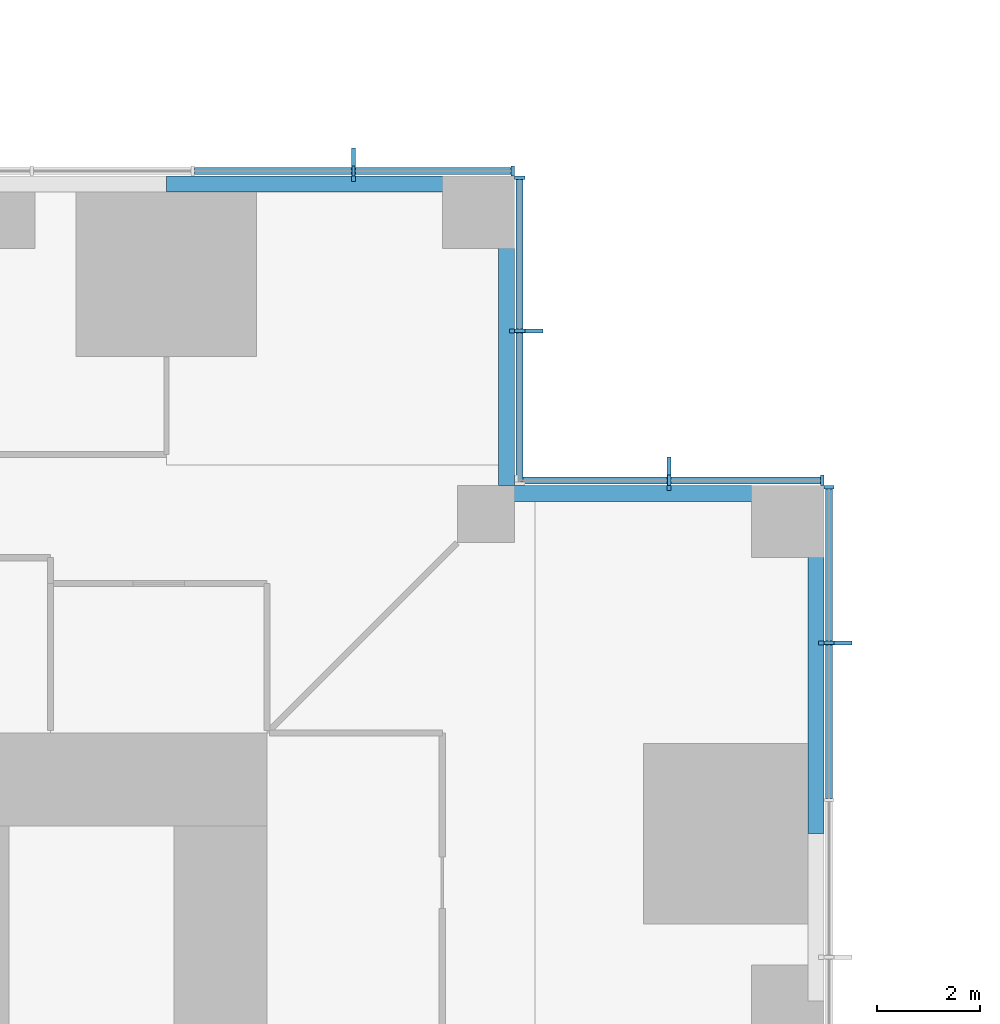
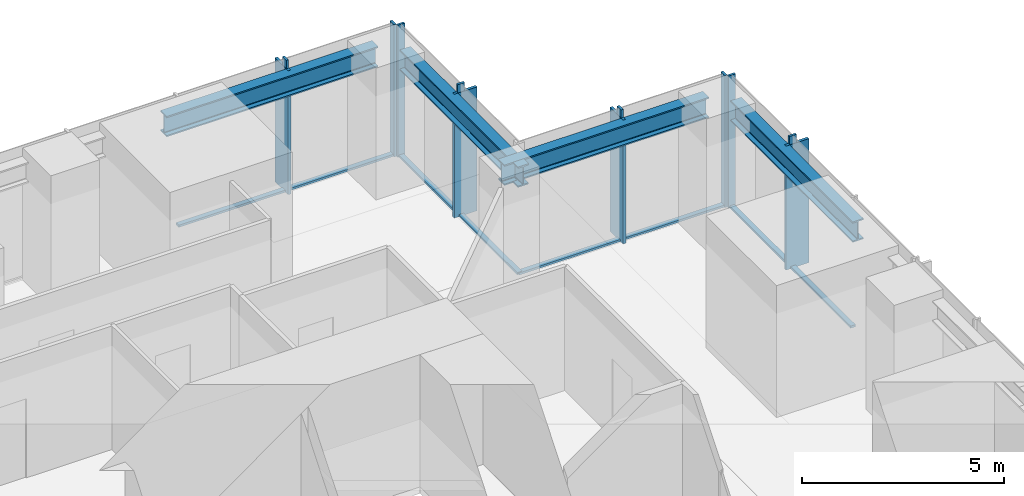
# One storey, part 6 of 15: 20 members, 4 beams, 4 elements without a shape of their own.
"""IFC4 building model written with IfcOpenShell, lengths in metres."""

from ifc_helpers import new_model, si_unit, direction, frame, origin, origin_2d, place, context, subcontext, project, spatial, rectangle, i_section, extrude, material, material_profile, profile_set, type_object, element, aggregate, save


model = new_model("IFC4")

# Units and contexts
model_context = context("Model", 3, precision=1e-05, world=origin(), true_north=direction((0.0, 1.0)))
body_context = subcontext(model_context, "Body", "Model", "MODEL_VIEW")
ifc_project = project(units=[si_unit("LENGTHUNIT", "METRE"), si_unit("AREAUNIT", "SQUARE_METRE"), si_unit("VOLUMEUNIT", "CUBIC_METRE"), si_unit("PLANEANGLEUNIT", "RADIAN"), si_unit("MASSUNIT", "GRAM", prefix="KILO")], contexts=[model_context])

# Site, building, storey
site_placement = place(None, origin())
site = spatial("IfcSite", under=ifc_project, at=site_placement, CompositionType="ELEMENT")
building_placement = place(site_placement, origin())
building = spatial("IfcBuilding", under=site, at=building_placement, Name="Svetlomir Tower", CompositionType="ELEMENT")
storey_placement = place(building_placement, frame((0.0, 0.0, 42.5)))
storey = spatial("IfcBuildingStorey", under=building, at=storey_placement, Name="L09", CompositionType="ELEMENT", Elevation=42.5)

# Curtain wall, member
ifc_material_1 = material(Name="Bronze anodised aluminium curtain wall", Category="aluminium")
curtain_wall_type = type_object("IfcCurtainWallType", Name="CURTAIN WALL CW1 TOWER OFFICE", PredefinedType="NOTDEFINED", material=ifc_material_1)
curtain_wall_1_placement = place(storey_placement, origin())
curtain_wall_1 = element("IfcCurtainWall", 1, at=curtain_wall_1_placement, inside=storey, type_object=curtain_wall_type, Name="Curtain wall CW1 L09", PredefinedType="NOTDEFINED")
ifc_material_2 = material(Name="Bronze anodised aluminium", Category="aluminium")
ifc_material_profile_1 = material_profile(ifc_material_2, rectangle(XDim=0.080078125, YDim=0.64990234375, at=origin_2d()), Name="FIN 80x650")
ifc_profile_set_1 = profile_set([ifc_material_profile_1], Name="Bronze anodised aluminium 6063-T6")
member_type_1 = type_object("IfcMemberType", Name="BRONZE FIN 80x650", PredefinedType="USERDEFINED", material=ifc_profile_set_1)
member_1_placement = place(storey_placement, frame((42.22509765625, 32.949951171875, 0.0), z_axis=(0.0, 0.0, 1.0), x_axis=(0.0, 1.0, 0.0)))
member_1 = element("IfcMember", 2, at=member_1_placement, type_object=member_type_1, Name="Bronze fin L09", ObjectType="FIN", PredefinedType="USERDEFINED", context=body_context, shape_type="SweptSolid", body=[
    extrude(rectangle(XDim=0.080078125, YDim=0.64990234375, at=origin_2d()), origin(), (0.0, 0.0, 1.0), 3.75),
])

curtain_wall_2_placement = place(storey_placement, origin())
curtain_wall_2 = element("IfcCurtainWall", 3, at=curtain_wall_2_placement, inside=storey, type_object=curtain_wall_type, Name="Curtain wall CW1 L09", PredefinedType="NOTDEFINED")
member_2_placement = place(storey_placement, frame((39.0, 36.22509765625, 0.0), z_axis=(0.0, 0.0, 1.0), x_axis=(1.0, 0.0, 0.0)))
member_2 = element("IfcMember", 4, at=member_2_placement, type_object=member_type_1, Name="Bronze fin L09", ObjectType="FIN", PredefinedType="USERDEFINED", context=body_context, shape_type="SweptSolid", body=[
    extrude(rectangle(XDim=0.080078125, YDim=0.64990234375, at=origin_2d()), origin(), (0.0, 0.0, 1.0), 3.75),
])

curtain_wall_3_placement = place(storey_placement, origin())
curtain_wall_3 = element("IfcCurtainWall", 5, at=curtain_wall_3_placement, inside=storey, type_object=curtain_wall_type, Name="Curtain wall CW1 L09", PredefinedType="NOTDEFINED")
member_3_placement = place(storey_placement, frame((36.22509765625, 39.0, 0.0), z_axis=(0.0, 0.0, 1.0), x_axis=(0.0, 1.0, 0.0)))
member_3 = element("IfcMember", 6, at=member_3_placement, type_object=member_type_1, Name="Bronze fin L09", ObjectType="FIN", PredefinedType="USERDEFINED", context=body_context, shape_type="SweptSolid", body=[
    extrude(rectangle(XDim=0.080078125, YDim=0.64990234375, at=origin_2d()), origin(), (0.0, 0.0, 1.0), 3.75),
])

curtain_wall_4_placement = place(storey_placement, origin())
curtain_wall_4 = element("IfcCurtainWall", 7, at=curtain_wall_4_placement, inside=storey, type_object=curtain_wall_type, Name="Curtain wall CW1 L09", PredefinedType="NOTDEFINED")
member_4_placement = place(storey_placement, frame((32.8798828125, 42.22509765625, 0.0), z_axis=(0.0, 0.0, 1.0), x_axis=(1.0, 0.0, 0.0)))
member_4 = element("IfcMember", 8, at=member_4_placement, type_object=member_type_1, Name="Bronze fin L09", ObjectType="FIN", PredefinedType="USERDEFINED", context=body_context, shape_type="SweptSolid", body=[
    extrude(rectangle(XDim=0.080078125, YDim=0.64990234375, at=origin_2d()), origin(), (0.0, 0.0, 1.0), 3.75),
])

# Member
ifc_material_3 = material(Name="Bronze anodised aluminium", Category="aluminium")
ifc_material_profile_2 = material_profile(ifc_material_3, rectangle(XDim=0.06494140625, YDim=0.199951171875, at=origin_2d()), Name="AL 65x200")
ifc_profile_set_2 = profile_set([ifc_material_profile_2], Name="Bronze anodised aluminium 6063-T6")
member_type_2 = type_object("IfcMemberType", Name="CW1 MULLION 65x200", PredefinedType="MULLION", material=ifc_profile_set_2)
member_5_placement = place(storey_placement, frame((42.10009765625, 32.949951171875, 0.0), z_axis=(0.0, 0.0, 1.0), x_axis=(0.0, 1.0, 0.0)))
member_5 = element("IfcMember", 9, at=member_5_placement, type_object=member_type_2, Name="CW1 mullion 8", PredefinedType="MULLION", context=body_context, shape_type="SweptSolid", body=[
    extrude(rectangle(XDim=0.06494140625, YDim=0.199951171875, at=origin_2d()), origin(), (0.0, 0.0, 1.0), 4.0),
])

member_6_placement = place(storey_placement, frame((42.10009765625, 35.967529296875, 0.0), z_axis=(0.0, 0.0, 1.0), x_axis=(0.0, 1.0, 0.0)))
member_6 = element("IfcMember", 10, at=member_6_placement, type_object=member_type_2, Name="CW1 mullion 9", PredefinedType="MULLION", context=body_context, shape_type="SweptSolid", body=[
    extrude(rectangle(XDim=0.06494140625, YDim=0.199951171875, at=origin_2d()), origin(), (0.0, 0.0, 1.0), 4.0),
])

member_7_placement = place(storey_placement, frame((41.967529296875, 36.10009765625, 0.0), z_axis=(0.0, 0.0, 1.0), x_axis=(-1.0, 0.0, 0.0)))
member_7 = element("IfcMember", 11, at=member_7_placement, type_object=member_type_2, Name="CW1 mullion 1", PredefinedType="MULLION", context=body_context, shape_type="SweptSolid", body=[
    extrude(rectangle(XDim=0.06494140625, YDim=0.199951171875, at=origin_2d()), origin(), (0.0, 0.0, 1.0), 4.0),
])

member_8_placement = place(storey_placement, frame((39.0, 36.10009765625, 0.0), z_axis=(0.0, 0.0, 1.0), x_axis=(-1.0, 0.0, 0.0)))
member_8 = element("IfcMember", 12, at=member_8_placement, type_object=member_type_2, Name="CW1 mullion 2", PredefinedType="MULLION", context=body_context, shape_type="SweptSolid", body=[
    extrude(rectangle(XDim=0.06494140625, YDim=0.199951171875, at=origin_2d()), origin(), (0.0, 0.0, 1.0), 4.0),
])

member_9_placement = place(storey_placement, frame((36.10009765625, 39.0, 0.0), z_axis=(0.0, 0.0, 1.0), x_axis=(0.0, 1.0, 0.0)))
member_9 = element("IfcMember", 13, at=member_9_placement, type_object=member_type_2, Name="CW1 mullion 2", PredefinedType="MULLION", context=body_context, shape_type="SweptSolid", body=[
    extrude(rectangle(XDim=0.06494140625, YDim=0.199951171875, at=origin_2d()), origin(), (0.0, 0.0, 1.0), 4.0),
])

member_10_placement = place(storey_placement, frame((36.10009765625, 41.967529296875, 0.0), z_axis=(0.0, 0.0, 1.0), x_axis=(0.0, 1.0, 0.0)))
member_10 = element("IfcMember", 14, at=member_10_placement, type_object=member_type_2, Name="CW1 mullion 3", PredefinedType="MULLION", context=body_context, shape_type="SweptSolid", body=[
    extrude(rectangle(XDim=0.06494140625, YDim=0.199951171875, at=origin_2d()), origin(), (0.0, 0.0, 1.0), 4.0),
])

member_11_placement = place(storey_placement, frame((35.967529296875, 42.10009765625, 0.0), z_axis=(0.0, 0.0, 1.0), x_axis=(-1.0, 0.0, 0.0)))
member_11 = element("IfcMember", 15, at=member_11_placement, type_object=member_type_2, Name="CW1 mullion 1", PredefinedType="MULLION", context=body_context, shape_type="SweptSolid", body=[
    extrude(rectangle(XDim=0.06494140625, YDim=0.199951171875, at=origin_2d()), origin(), (0.0, 0.0, 1.0), 4.0),
])

member_12_placement = place(storey_placement, frame((32.8798828125, 42.10009765625, 0.0), z_axis=(0.0, 0.0, 1.0), x_axis=(-1.0, 0.0, 0.0)))
member_12 = element("IfcMember", 16, at=member_12_placement, type_object=member_type_2, Name="CW1 mullion 2", PredefinedType="MULLION", context=body_context, shape_type="SweptSolid", body=[
    extrude(rectangle(XDim=0.06494140625, YDim=0.199951171875, at=origin_2d()), origin(), (0.0, 0.0, 1.0), 4.0),
])

ifc_material_4 = material(Name="Bronze anodised aluminium", Category="aluminium")
ifc_material_profile_3 = material_profile(ifc_material_4, rectangle(XDim=0.139892578125, YDim=0.06494140625, at=origin_2d()), Name="AL 140x65")
ifc_profile_set_3 = profile_set([ifc_material_profile_3], Name="Bronze anodised aluminium 6063-T6")
member_type_3 = type_object("IfcMemberType", Name="CW1 TRANSOM 65x140", PredefinedType="USERDEFINED", material=ifc_profile_set_3)
member_13_placement = place(storey_placement, frame((42.10009765625, 29.9326171875, 0.032470703125), z_axis=(0.0, 1.0, 0.0), x_axis=(-1.0, 0.0, 0.0)))
member_13 = element("IfcMember", 17, at=member_13_placement, type_object=member_type_3, Name="CW1 transom 7.1", ObjectType="TRANSOM", PredefinedType="USERDEFINED", context=body_context, shape_type="SweptSolid", body=[
    extrude(rectangle(XDim=0.139892578125, YDim=0.06494140625, at=origin_2d()), origin(), (0.0, 0.0, 1.0), 2.98486328125),
])

member_14_placement = place(storey_placement, frame((42.10009765625, 32.982421875, 0.032470703125), z_axis=(0.0, 1.0, 0.0), x_axis=(-1.0, 0.0, 0.0)))
member_14 = element("IfcMember", 18, at=member_14_placement, type_object=member_type_3, Name="CW1 transom 8.1", ObjectType="TRANSOM", PredefinedType="USERDEFINED", context=body_context, shape_type="SweptSolid", body=[
    extrude(rectangle(XDim=0.139892578125, YDim=0.06494140625, at=origin_2d()), origin(), (0.0, 0.0, 1.0), 2.95263671875),
])

aggregate(curtain_wall_1, [member_5, member_6, member_13, member_14, member_1])

member_15_placement = place(storey_placement, frame((41.93505859375, 36.10009765625, 0.032470703125), z_axis=(-1.0, 0.0, 0.0), x_axis=(0.0, -1.0, 0.0)))
member_15 = element("IfcMember", 19, at=member_15_placement, type_object=member_type_3, Name="CW1 transom 1.1", ObjectType="TRANSOM", PredefinedType="USERDEFINED", context=body_context, shape_type="SweptSolid", body=[
    extrude(rectangle(XDim=0.139892578125, YDim=0.06494140625, at=origin_2d()), origin(), (0.0, 0.0, 1.0), 2.902587890625),
])

member_16_placement = place(storey_placement, frame((38.967529296875, 36.10009765625, 0.032470703125), z_axis=(-1.0, 0.0, 0.0), x_axis=(0.0, -1.0, 0.0)))
member_16 = element("IfcMember", 20, at=member_16_placement, type_object=member_type_3, Name="CW1 transom 2.1", ObjectType="TRANSOM", PredefinedType="USERDEFINED", context=body_context, shape_type="SweptSolid", body=[
    extrude(rectangle(XDim=0.139892578125, YDim=0.06494140625, at=origin_2d()), origin(), (0.0, 0.0, 1.0), 2.902587890625),
])

aggregate(curtain_wall_2, [member_7, member_8, member_15, member_16, member_2])

member_17_placement = place(storey_placement, frame((36.10009765625, 36.06494140625, 0.032470703125), z_axis=(0.0, 1.0, 0.0), x_axis=(-1.0, 0.0, 0.0)))
member_17 = element("IfcMember", 21, at=member_17_placement, type_object=member_type_3, Name="CW1 transom 1.1", ObjectType="TRANSOM", PredefinedType="USERDEFINED", context=body_context, shape_type="SweptSolid", body=[
    extrude(rectangle(XDim=0.139892578125, YDim=0.06494140625, at=origin_2d()), origin(), (0.0, 0.0, 1.0), 2.902587890625),
])

member_18_placement = place(storey_placement, frame((36.10009765625, 39.032470703125, 0.032470703125), z_axis=(0.0, 1.0, 0.0), x_axis=(-1.0, 0.0, 0.0)))
member_18 = element("IfcMember", 22, at=member_18_placement, type_object=member_type_3, Name="CW1 transom 2.1", ObjectType="TRANSOM", PredefinedType="USERDEFINED", context=body_context, shape_type="SweptSolid", body=[
    extrude(rectangle(XDim=0.139892578125, YDim=0.06494140625, at=origin_2d()), origin(), (0.0, 0.0, 1.0), 2.902587890625),
])

aggregate(curtain_wall_3, [member_9, member_10, member_17, member_18, member_3])

member_19_placement = place(storey_placement, frame((35.93505859375, 42.10009765625, 0.032470703125), z_axis=(-1.0, 0.0, 0.0), x_axis=(0.0, -1.0, 0.0)))
member_19 = element("IfcMember", 23, at=member_19_placement, type_object=member_type_3, Name="CW1 transom 1.1", ObjectType="TRANSOM", PredefinedType="USERDEFINED", context=body_context, shape_type="SweptSolid", body=[
    extrude(rectangle(XDim=0.139892578125, YDim=0.06494140625, at=origin_2d()), origin(), (0.0, 0.0, 1.0), 3.0224609375),
])

member_20_placement = place(storey_placement, frame((32.847412109375, 42.10009765625, 0.032470703125), z_axis=(-1.0, 0.0, 0.0), x_axis=(0.0, -1.0, 0.0)))
member_20 = element("IfcMember", 24, at=member_20_placement, type_object=member_type_3, Name="CW1 transom 2.1", ObjectType="TRANSOM", PredefinedType="USERDEFINED", context=body_context, shape_type="SweptSolid", body=[
    extrude(rectangle(XDim=0.139892578125, YDim=0.06494140625, at=origin_2d()), origin(), (0.0, 0.0, 1.0), 3.054931640625),
])

aggregate(curtain_wall_4, [member_11, member_12, member_19, member_20, member_4])

# Beams
ifc_material_5 = material(Name="Steel S355", Category="steel")
ifc_material_profile_4 = material_profile(ifc_material_5, i_section(OverallWidth=0.304931640625, OverallDepth=0.6201171875, WebThickness=0.02099609375, FlangeThickness=0.0400390625, FilletRadius=0.027099609375, at=origin_2d()), Name="HEM 600")
ifc_profile_set_4 = profile_set([ifc_material_profile_4], Name="Steel S355")
beam_type = type_object("IfcBeamType", Name="EDGE BEAM HEM 600", PredefinedType="SPANDREL", material=ifc_profile_set_4)
for number, where, z_axis, x_axis, name in (
    (25, (41.847412109375, 29.25, 3.43994140625), (0.0, 1.0, 0.0), (-1.0, 0.0, 0.0), "Edge beam 42/31 to 42/36 under L10"),
    (26, (29.25, 41.847412109375, 3.43994140625), (1.0, 0.0, 0.0), (0.0, 1.0, 0.0), "Edge beam 31/42 to 36/42 under L10"),
):
    element("IfcBeam", number, at=place(storey_placement, frame(where, z_axis=z_axis, x_axis=x_axis)), inside=storey, type_object=beam_type, Name=name, PredefinedType="SPANDREL", context=body_context, shape_type="SweptSolid", body=[
        extrude(i_section(OverallWidth=0.304931640625, OverallDepth=0.6201171875, WebThickness=0.02099609375, FlangeThickness=0.0400390625, FilletRadius=0.027099609375, at=origin_2d()), origin(), (0.0, 0.0, 1.0), 6.050048828125),
    ])
for number, where, z_axis, x_axis, name in (
    (27, (35.847412109375, 41.300048828125, 3.43994140625), (0.0, -1.0, 0.0), (1.0, 0.0, 0.0), "Edge beam 36/42 to 36/36 under L10"),
    (28, (41.300048828125, 35.847412109375, 3.43994140625), (-1.0, 0.0, 0.0), (0.0, -1.0, 0.0), "Edge beam 42/36 to 36/36 under L10"),
):
    element("IfcBeam", number, at=place(storey_placement, frame(where, z_axis=z_axis, x_axis=x_axis)), inside=storey, type_object=beam_type, Name=name, PredefinedType="SPANDREL", context=body_context, shape_type="SweptSolid", body=[
        extrude(i_section(OverallWidth=0.304931640625, OverallDepth=0.6201171875, WebThickness=0.02099609375, FlangeThickness=0.0400390625, FilletRadius=0.027099609375, at=origin_2d()), origin(), (0.0, 0.0, 1.0), 5.85009765625),
    ])

save(model, "model.ifc")
